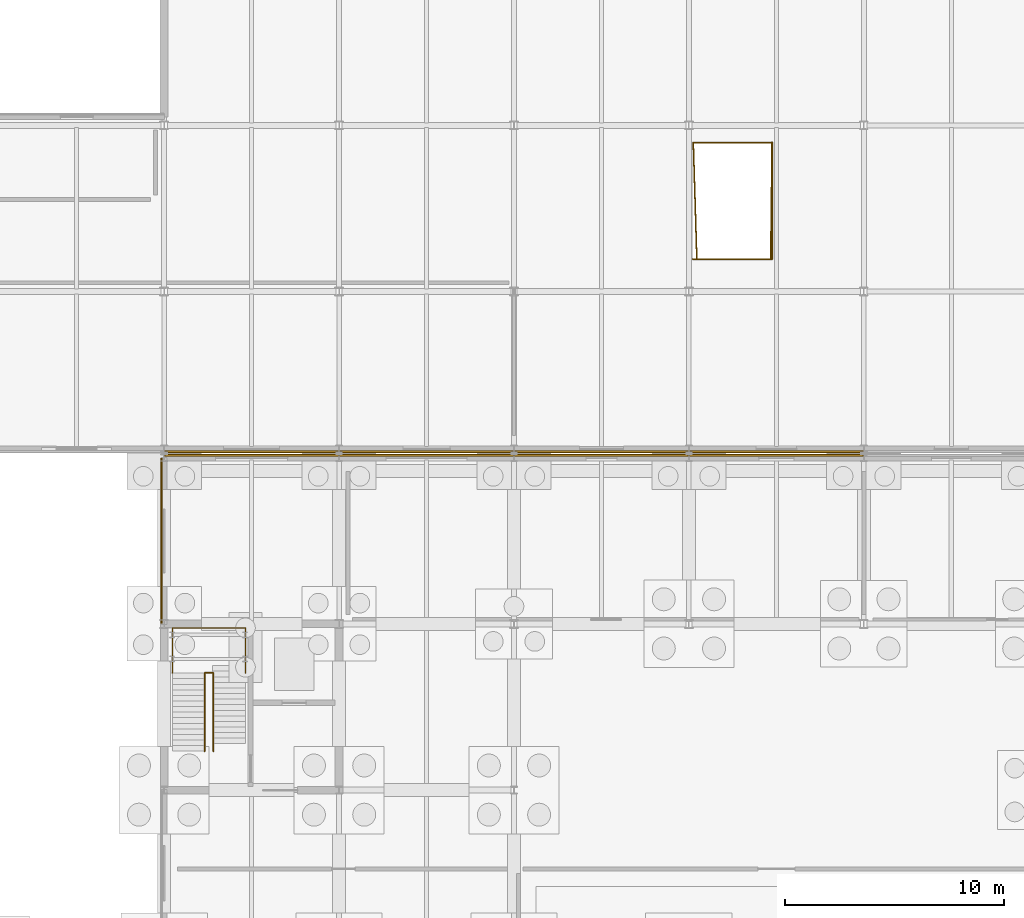
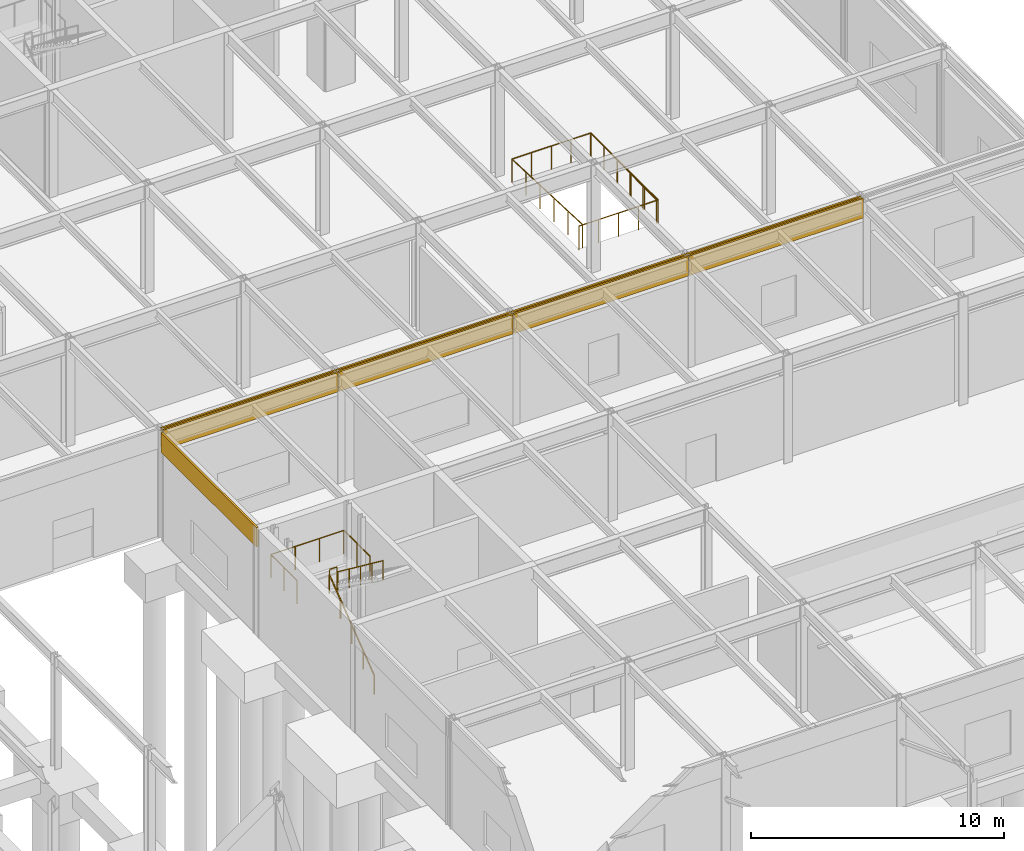
# One storey, part 57 of 62: 9 coverings, 8 railings.
"""IFC4 building model written with IfcOpenShell, lengths in metres."""

from ifc_helpers import new_model, si_unit, direction, frame, origin, origin_2d, place, context, subcontext, project, spatial, rectangle, circle, extrude, material, layer, layer_set, type_object, element, save


model = new_model("IFC4")

# Units and contexts
model_context = context("Model", 3, precision=1e-05, world=origin(), true_north=direction((0.0, 1.0)))
body_context = subcontext(model_context, "Body", "Model", "MODEL_VIEW")
ifc_project = project(units=[si_unit("LENGTHUNIT", "METRE"), si_unit("AREAUNIT", "SQUARE_METRE"), si_unit("VOLUMEUNIT", "CUBIC_METRE"), si_unit("PLANEANGLEUNIT", "RADIAN"), si_unit("MASSUNIT", "GRAM", prefix="KILO")], contexts=[model_context])

# Site, building, storey
site_placement = place(None, origin())
site = spatial("IfcSite", under=ifc_project, at=site_placement, CompositionType="ELEMENT")
building_placement = place(site_placement, origin())
building = spatial("IfcBuilding", under=site, at=building_placement, Name="Zulena Civic Courthouse", CompositionType="ELEMENT")
storey_placement = place(building_placement, origin())
storey = spatial("IfcBuildingStorey", under=building, at=storey_placement, Name="L00", CompositionType="ELEMENT", Elevation=0.0)

# Railings
ifc_material_1 = material(Name="Brushed architectural steel ASTM A36", Category="steel")
railing_type_1 = type_object("IfcRailingType", Name="InteriorGuardrail_1150", PredefinedType="GUARDRAIL", material=ifc_material_1)
railing_1_placement = place(storey_placement, frame((68.3798828125, 35.74951171875, 2.699951171875)))
element("IfcRailing", 1, at=railing_1_placement, inside=storey, type_object=railing_type_1, Name="gr:lnd:K4A:L00", PredefinedType="GUARDRAIL", context=body_context, shape_type="SweptSolid", body=[
    extrude(circle(Radius=0.02392578125, at=origin_2d()), frame((0.0, 0.00390625, 1.1259765625), z_axis=(0.0, 1.0, 0.0), x_axis=(-1.0, 0.0, 0.0)), (0.0, 0.0, 1.0), 2.0625),
    extrude(circle(Radius=0.02392578125, at=origin_2d()), frame((0.00390625, 2.070556640625, 1.1259765625), z_axis=(1.0, 0.0, 0.0), x_axis=(0.0, 1.0, 0.0)), (0.0, 0.0, 1.0), 3.33203125),
    extrude(circle(Radius=0.02392578125, at=origin_2d()), frame((3.340087890625, 2.066650390625, 1.1259765625), z_axis=(0.0, -1.0, 0.0), x_axis=(1.0, 0.0, 0.0)), (0.0, 0.0, 1.0), 2.0625),
    extrude(circle(Radius=0.02099609375, at=origin_2d()), origin(), (0.0, 0.0, 1.0), 1.097900390625),
    extrude(circle(Radius=0.02099609375, at=origin_2d()), frame((0.0, 1.03515625, 0.0)), (0.0, 0.0, 1.0), 1.097900390625),
    extrude(circle(Radius=0.02099609375, at=origin_2d()), frame((0.0, 2.070556640625, 0.0)), (0.0, 0.0, 1.0), 1.097900390625),
    extrude(circle(Radius=0.02099609375, at=origin_2d()), frame((1.11328125, 2.070556640625, 0.0)), (0.0, 0.0, 1.0), 1.097900390625),
    extrude(circle(Radius=0.02099609375, at=origin_2d()), frame((2.226806640625, 2.070556640625, 0.0)), (0.0, 0.0, 1.0), 1.097900390625),
    extrude(circle(Radius=0.02099609375, at=origin_2d()), frame((3.340087890625, 2.070556640625, 0.0)), (0.0, 0.0, 1.0), 1.097900390625),
    extrude(circle(Radius=0.02099609375, at=origin_2d()), frame((3.340087890625, 1.03515625, 0.0)), (0.0, 0.0, 1.0), 1.097900390625),
    extrude(circle(Radius=0.02099609375, at=origin_2d()), frame((3.340087890625, 0.0, 0.0)), (0.0, 0.0, 1.0), 1.097900390625),
])
railing_2_placement = place(storey_placement, frame((69.8798828125, 35.77001953125, 2.699951171875)))
element("IfcRailing", 2, at=railing_2_placement, inside=storey, type_object=railing_type_1, Name="gr:lndslot:K4A:L00", PredefinedType="GUARDRAIL", context=body_context, shape_type="SweptSolid", body=[
    extrude(circle(Radius=0.02392578125, at=origin_2d()), frame((0.00390625, 0.0, 1.1259765625), z_axis=(1.0, 0.0, 0.0), x_axis=(0.0, 1.0, 0.0)), (0.0, 0.0, 1.0), 0.33203125),
    extrude(circle(Radius=0.02099609375, at=origin_2d()), origin(), (0.0, 0.0, 1.0), 1.097900390625),
    extrude(circle(Radius=0.02099609375, at=origin_2d()), frame((0.340087890625, 0.0, 0.0)), (0.0, 0.0, 1.0), 1.097900390625),
])
railing_3_placement = place(storey_placement, frame((92.199951171875, 60.010009765625, 0.0)))
element("IfcRailing", 3, at=railing_3_placement, inside=storey, type_object=railing_type_1, Name="gr:wellN:STB2:B01", PredefinedType="GUARDRAIL", context=body_context, shape_type="SweptSolid", body=[
    extrude(circle(Radius=0.02392578125, at=origin_2d()), frame((0.00390625, 0.0, 1.1259765625), z_axis=(1.0, 0.0, 0.0), x_axis=(0.0, 1.0, 0.0)), (0.0, 0.0, 1.0), 3.592041015625),
    extrude(circle(Radius=0.02099609375, at=origin_2d()), origin(), (0.0, 0.0, 1.0), 1.097900390625),
    extrude(circle(Radius=0.02099609375, at=origin_2d()), frame((0.89990234375, 0.0, 0.0)), (0.0, 0.0, 1.0), 1.097900390625),
    extrude(circle(Radius=0.02099609375, at=origin_2d()), frame((1.800048828125, 0.0, 0.0)), (0.0, 0.0, 1.0), 1.097900390625),
    extrude(circle(Radius=0.02099609375, at=origin_2d()), frame((2.7001953125, 0.0, 0.0)), (0.0, 0.0, 1.0), 1.097900390625),
    extrude(circle(Radius=0.02099609375, at=origin_2d()), frame((3.60009765625, 0.0, 0.0)), (0.0, 0.0, 1.0), 1.097900390625),
])
railing_4_placement = place(storey_placement, frame((95.800048828125, 60.02001953125, 0.0)))
element("IfcRailing", 4, at=railing_4_placement, inside=storey, type_object=railing_type_1, Name="gr:topwell:STB2:B01", PredefinedType="GUARDRAIL", context=body_context, shape_type="SweptSolid", body=[
    extrude(circle(Radius=0.02392578125, at=origin_2d()), frame((0.0, -0.00390625, 1.1259765625), z_axis=(0.0, -1.0, 0.0), x_axis=(1.0, 0.0, 0.0)), (0.0, 0.0, 1.0), 5.33203125),
    extrude(circle(Radius=0.02392578125, at=origin_2d()), frame((-0.00390625, -5.340087890625, 1.1259765625), z_axis=(-1.0, 0.0, 0.0), x_axis=(0.0, -1.0, 0.0)), (0.0, 0.0, 1.0), 3.612060546875),
    extrude(circle(Radius=0.02099609375, at=origin_2d()), origin(), (0.0, 0.0, 1.0), 1.097900390625),
    extrude(circle(Radius=0.02099609375, at=origin_2d()), frame((0.0, -1.068115234375, 0.0)), (0.0, 0.0, 1.0), 1.097900390625),
    extrude(circle(Radius=0.02099609375, at=origin_2d()), frame((0.0, -2.135986328125, 0.0)), (0.0, 0.0, 1.0), 1.097900390625),
    extrude(circle(Radius=0.02099609375, at=origin_2d()), frame((0.0, -3.2041015625, 0.0)), (0.0, 0.0, 1.0), 1.097900390625),
    extrude(circle(Radius=0.02099609375, at=origin_2d()), frame((0.0, -4.27197265625, 0.0)), (0.0, 0.0, 1.0), 1.097900390625),
    extrude(circle(Radius=0.02099609375, at=origin_2d()), frame((0.0, -5.340087890625, 0.0)), (0.0, 0.0, 1.0), 1.097900390625),
    extrude(circle(Radius=0.02099609375, at=origin_2d()), frame((-0.905029296875, -5.340087890625, 0.0)), (0.0, 0.0, 1.0), 1.097900390625),
    extrude(circle(Radius=0.02099609375, at=origin_2d()), frame((-1.81005859375, -5.340087890625, 0.0)), (0.0, 0.0, 1.0), 1.097900390625),
    extrude(circle(Radius=0.02099609375, at=origin_2d()), frame((-2.715087890625, -5.340087890625, 0.0)), (0.0, 0.0, 1.0), 1.097900390625),
    extrude(circle(Radius=0.02099609375, at=origin_2d()), frame((-3.6201171875, -5.340087890625, 0.0)), (0.0, 0.0, 1.0), 1.097900390625),
])
railing_5_placement = place(storey_placement, frame((92.360107421875, 54.719970703125, 0.0)))
element("IfcRailing", 5, at=railing_5_placement, inside=storey, type_object=railing_type_1, Name="gr:b01wellW:STB2", PredefinedType="GUARDRAIL", context=body_context, shape_type="SweptSolid", body=[
    extrude(circle(Radius=0.02392578125, at=origin_2d()), frame((0.0, 0.00390625, 1.1259765625), z_axis=(-0.030261194781, 0.999542025175, 0.0), x_axis=(-0.999542025175, -0.030261194781, 0.0)), (0.0, 0.0, 1.0), 5.284423828125),
    extrude(circle(Radius=0.02099609375, at=origin_2d()), origin(), (0.0, 0.0, 1.0), 1.097900390625),
    extrude(circle(Radius=0.02099609375, at=origin_2d()), frame((-0.031982421875, 1.05810546875, 0.0)), (0.0, 0.0, 1.0), 1.097900390625),
    extrude(circle(Radius=0.02099609375, at=origin_2d()), frame((-0.06396484375, 2.115966796875, 0.0)), (0.0, 0.0, 1.0), 1.097900390625),
    extrude(circle(Radius=0.02099609375, at=origin_2d()), frame((-0.09619140625, 3.174072265625, 0.0)), (0.0, 0.0, 1.0), 1.097900390625),
    extrude(circle(Radius=0.02099609375, at=origin_2d()), frame((-0.128173828125, 4.23193359375, 0.0)), (0.0, 0.0, 1.0), 1.097900390625),
    extrude(circle(Radius=0.02099609375, at=origin_2d()), frame((-0.16015625, 5.2900390625, 0.0)), (0.0, 0.0, 1.0), 1.097900390625),
])
railing_6_placement = place(storey_placement, frame((95.739990234375, 54.719970703125, 0.0)))
element("IfcRailing", 6, at=railing_6_placement, inside=storey, type_object=railing_type_1, Name="gr:b01wellE:STB2", PredefinedType="GUARDRAIL", context=body_context, shape_type="SweptSolid", body=[
    extrude(circle(Radius=0.02392578125, at=origin_2d()), frame((0.0, 0.00390625, 1.1259765625), z_axis=(0.011352415893, 0.99993555925, 0.0), x_axis=(-0.99993555925, 0.011352415893, 0.0)), (0.0, 0.0, 1.0), 5.282470703125),
    extrude(circle(Radius=0.02099609375, at=origin_2d()), origin(), (0.0, 0.0, 1.0), 1.097900390625),
    extrude(circle(Radius=0.02099609375, at=origin_2d()), frame((0.011962890625, 1.05810546875, 0.0)), (0.0, 0.0, 1.0), 1.097900390625),
    extrude(circle(Radius=0.02099609375, at=origin_2d()), frame((0.02392578125, 2.115966796875, 0.0)), (0.0, 0.0, 1.0), 1.097900390625),
    extrude(circle(Radius=0.02099609375, at=origin_2d()), frame((0.0361328125, 3.174072265625, 0.0)), (0.0, 0.0, 1.0), 1.097900390625),
    extrude(circle(Radius=0.02099609375, at=origin_2d()), frame((0.048095703125, 4.23193359375, 0.0)), (0.0, 0.0, 1.0), 1.097900390625),
    extrude(circle(Radius=0.02099609375, at=origin_2d()), frame((0.06005859375, 5.2900390625, 0.0)), (0.0, 0.0, 1.0), 1.097900390625),
])

# Coverings
ifc_material_2 = material(Name="White architectural precast concrete C40/50", Category="concrete")
ifc_layer = layer(ifc_material_2, 0.0849609375)
ifc_layer_set = layer_set([ifc_layer], Name="White architectural precast concrete C40/50")
covering_type = type_object("IfcCoveringType", Name="PrecastSpandrelCladding_85", PredefinedType="CLADDING", material=ifc_layer_set)
covering_placement = place(storey_placement, frame((67.8798828125, 41.800048828125, 4.25), z_axis=(0.0, 0.0, 1.0), x_axis=(0.0, 1.0, 0.0)))
element("IfcCovering", 7, at=covering_placement, inside=storey, type_object=covering_type, Name="clad:sp:V4:L00:0:3", PredefinedType="CLADDING", context=body_context, shape_type="SweptSolid", body=[
    extrude(rectangle(XDim=7.56005859375, YDim=0.0849609375, at=origin_2d()), origin(), (0.0, 0.0, 1.0), 0.93994140625),
])
for number, where, z_axis, x_axis, name in (
    (8, (72.0, 45.719970703125, 4.25), (0.0, 0.0, 1.0), (1.0, 0.0, 0.0), "clad:sp:V4:L00:1:0"),
    (9, (80.0, 45.719970703125, 4.25), (0.0, 0.0, 1.0), (1.0, 0.0, 0.0), "clad:sp:V4:L00:1:1"),
    (10, (88.0, 45.719970703125, 4.25), (0.0, 0.0, 1.0), (1.0, 0.0, 0.0), "clad:sp:V4:L00:1:2"),
    (11, (96.0, 45.719970703125, 4.25), (0.0, 0.0, 1.0), (1.0, 0.0, 0.0), "clad:sp:V4:L00:1:3"),
    (12, (96.0, 45.8798828125, 4.25), (0.0, 0.0, 1.0), (-1.0, 0.0, 0.0), "clad:sp:V5:L00:5:1"),
    (13, (88.0, 45.8798828125, 4.25), (0.0, 0.0, 1.0), (-1.0, 0.0, 0.0), "clad:sp:V5:L00:5:2"),
    (14, (80.0, 45.8798828125, 4.25), (0.0, 0.0, 1.0), (-1.0, 0.0, 0.0), "clad:sp:V5:L00:5:3"),
    (15, (72.0, 45.8798828125, 4.25), (0.0, 0.0, 1.0), (-1.0, 0.0, 0.0), "clad:sp:V5:L00:5:4"),
):
    element("IfcCovering", number, at=place(storey_placement, frame(where, z_axis=z_axis, x_axis=x_axis)), inside=storey, type_object=covering_type, Name=name, PredefinedType="CLADDING", context=body_context, shape_type="SweptSolid", body=[
        extrude(rectangle(XDim=7.9599609375, YDim=0.0849609375, at=origin_2d()), origin(), (0.0, 0.0, 1.0), 0.93994140625),
    ])

# Railings
railing_type_2 = type_object("IfcRailingType", Name="StairHandrail_920", PredefinedType="HANDRAIL", material=ifc_material_1)
railing_7_placement = place(storey_placement, frame((69.85009765625, 32.179931640625, 0.0)))
element("IfcRailing", 16, at=railing_7_placement, inside=storey, type_object=railing_type_2, Name="hr:K4A:L00:1", PredefinedType="HANDRAIL", context=body_context, shape_type="SweptSolid", body=[
    extrude(circle(Radius=0.02392578125, at=origin_2d()), frame((0.0, 0.003173828125, 0.898193359375), z_axis=(0.0, 0.797551790998, 0.603250479218), x_axis=(-1.0, 0.0, 0.0)), (0.0, 0.0, 1.0), 4.4677734375),
    extrude(circle(Radius=0.02099609375, at=origin_2d()), origin(), (0.0, 0.0, 1.0), 0.867919921875),
    extrude(circle(Radius=0.02099609375, at=origin_2d()), frame((0.0, 0.892333984375, 0.675048828125)), (0.0, 0.0, 1.0), 0.867919921875),
    extrude(circle(Radius=0.02099609375, at=origin_2d()), frame((0.0, 1.78466796875, 1.35009765625)), (0.0, 0.0, 1.0), 0.867919921875),
    extrude(circle(Radius=0.02099609375, at=origin_2d()), frame((0.0, 2.67724609375, 2.02490234375)), (0.0, 0.0, 1.0), 0.867919921875),
    extrude(circle(Radius=0.02099609375, at=origin_2d()), frame((0.0, 3.569580078125, 2.699951171875)), (0.0, 0.0, 1.0), 0.867919921875),
])
railing_8_placement = place(storey_placement, frame((70.25, 35.74951171875, 2.699951171875)))
element("IfcRailing", 17, at=railing_8_placement, inside=storey, type_object=railing_type_2, Name="hr:K4A:L00:2", PredefinedType="HANDRAIL", context=body_context, shape_type="SweptSolid", body=[
    extrude(circle(Radius=0.02392578125, at=origin_2d()), frame((0.0, -0.003173828125, 0.898193359375), z_axis=(0.0, -0.797551790998, 0.603250479218), x_axis=(1.0, 0.0, 0.0)), (0.0, 0.0, 1.0), 4.4677734375),
    extrude(circle(Radius=0.02099609375, at=origin_2d()), origin(), (0.0, 0.0, 1.0), 0.867919921875),
    extrude(circle(Radius=0.02099609375, at=origin_2d()), frame((0.0, -0.892333984375, 0.675048828125)), (0.0, 0.0, 1.0), 0.867919921875),
    extrude(circle(Radius=0.02099609375, at=origin_2d()), frame((0.0, -1.78466796875, 1.35009765625)), (0.0, 0.0, 1.0), 0.867919921875),
    extrude(circle(Radius=0.02099609375, at=origin_2d()), frame((0.0, -2.67724609375, 2.02490234375)), (0.0, 0.0, 1.0), 0.867919921875),
    extrude(circle(Radius=0.02099609375, at=origin_2d()), frame((0.0, -3.569580078125, 2.699951171875)), (0.0, 0.0, 1.0), 0.867919921875),
])

save(model, "model.ifc")
